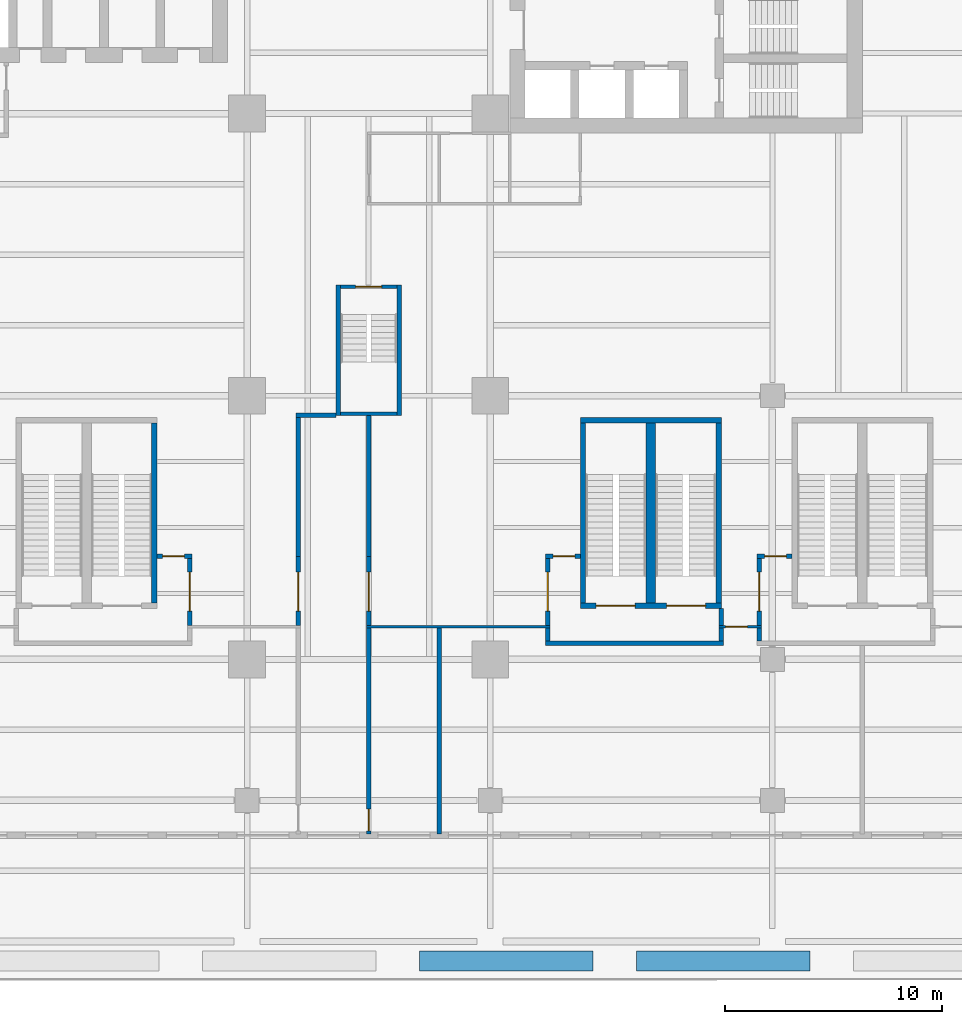
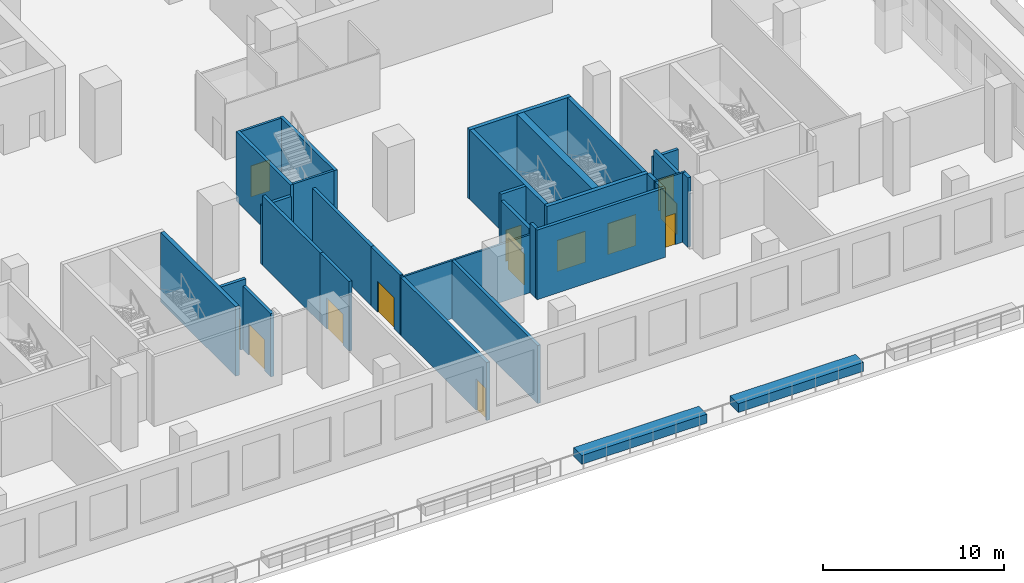
# One storey, part 7 of 18: 32 walls, 13 doors, 13 openings.
"""IFC4 building model written with IfcOpenShell, lengths in metres."""

from ifc_helpers import new_model, si_unit, direction, frame, frame_2d, origin, place, context, subcontext, project, spatial, polyline, rectangle, outline, extrude, source, transform, mapped, material, layer, layer_set, type_object, element, fill, save


model = new_model("IFC4")

# Units and contexts
model_context = context("Model", 3, precision=1e-05, world=origin(), true_north=direction((0.0, 1.0)))
body_context = subcontext(model_context, "Body", "Model", "MODEL_VIEW")
ifc_project = project(units=[si_unit("LENGTHUNIT", "METRE"), si_unit("AREAUNIT", "SQUARE_METRE"), si_unit("VOLUMEUNIT", "CUBIC_METRE"), si_unit("PLANEANGLEUNIT", "RADIAN"), si_unit("MASSUNIT", "GRAM", prefix="KILO")], contexts=[model_context])

# Site, building, storey
site_placement = place(None, origin())
site = spatial("IfcSite", under=ifc_project, at=site_placement, CompositionType="ELEMENT")
building_placement = place(site_placement, origin())
building = spatial("IfcBuilding", under=site, at=building_placement, Name="Trellis Farm Tower", CompositionType="ELEMENT")
storey_placement = place(building_placement, frame((0.0, 0.0, 14.0)))
storey = spatial("IfcBuildingStorey", under=building, at=storey_placement, Name="L02", CompositionType="ELEMENT", Elevation=14.0)

# Walls
ifc_material_1 = material(Name="Plasterboard on steel studs, mineral wool", Category="steel")
ifc_layer_1 = layer(ifc_material_1, 0.125)
ifc_layer_set_1 = layer_set([ifc_layer_1], Name="PARTITION 125 STUD EI 60")
wall_type_1 = type_object("IfcWallType", Name="PARTITION 125 STUD EI 60", PredefinedType="PARTITIONING", material=ifc_layer_set_1)
wall_1_placement = place(storey_placement, frame((8.35009765625, -29.25, 0.0), z_axis=(0.0, 0.0, 1.0), x_axis=(-1.0, 0.0, 0.0)))
element("IfcWall", 1, at=wall_1_placement, inside=storey, type_object=wall_type_1, Name="Partition PW1", PredefinedType="PARTITIONING", context=body_context, shape_type="SweptSolid", body=[
    extrude(rectangle(XDim=8.4501953125, YDim=0.125, at=frame_2d((4.22509765625, 0.0))), origin(), (0.0, 0.0, 1.0), 3.917724609375),
])
ifc_material_2 = material(Name="Sandstone faced masonry planter", Category="masonry")
ifc_layer_2 = layer(ifc_material_2, 0.89990234375)
ifc_layer_set_2 = layer_set([ifc_layer_2], Name="TERRACE PLANTER BED 900")
wall_type_2 = type_object("IfcWallType", Name="TERRACE PLANTER BED 900", PredefinedType="USERDEFINED", material=ifc_layer_set_2)
placement = place(storey_placement, origin())
element("IfcWall", 2, at=placement, inside=storey, type_object=wall_type_2, Name="PLANTER bed", ObjectType="PLANTER", PredefinedType="USERDEFINED", context=body_context, shape_type="SweptSolid", body=[
    extrude(outline(polyline([(2.347412109375, -44.199951171875), (10.347412109375, -44.199951171875), (10.347412109375, -45.10009765625), (2.347412109375, -45.10009765625), (2.347412109375, -44.199951171875)])), origin(), (0.0, 0.0, 1.0), 0.60009765625),
])
element("IfcWall", 3, at=placement, inside=storey, type_object=wall_type_2, Name="PLANTER bed", ObjectType="PLANTER", PredefinedType="USERDEFINED", context=body_context, shape_type="SweptSolid", body=[
    extrude(outline(polyline([(12.347412109375, -44.199951171875), (20.347412109375, -44.199951171875), (20.347412109375, -45.10009765625), (12.347412109375, -45.10009765625), (12.347412109375, -44.199951171875)])), origin(), (0.0, 0.0, 1.0), 0.60009765625),
])
ifc_material_3 = material(Name="Concrete C80/95", Category="concrete")
ifc_layer_3 = layer(ifc_material_3, 0.199951171875)
ifc_layer_set_3 = layer_set([ifc_layer_3], Name="CORE STAIR ENCLOSURE WALL 200 CONCRETE C80/95")
wall_type_3 = type_object("IfcWallType", Name="CORE STAIR ENCLOSURE WALL 200 CONCRETE C80/95", PredefinedType="SHEAR", material=ifc_layer_set_3)
shared_shape_1 = source(origin(), body_context, "Body", "SweptSolid", [
    extrude(rectangle(XDim=6.0, YDim=0.199951171875, at=frame_2d((3.0, 0.0))), origin(), (0.0, 0.0, 1.0), 4.699951171875),
])
for number, where, z_axis, x_axis, name in (
    (4, (1.39990234375, -13.5, 0.0), (0.0, 0.0, 1.0), (0.0, -1.0, 0.0), "Stair enclosure wall"),
    (5, (-1.39990234375, -13.5, 0.0), (0.0, 0.0, 1.0), (0.0, -1.0, 0.0), "Stair enclosure wall"),
):
    element("IfcWall", number, at=place(storey_placement, frame(where, z_axis=z_axis, x_axis=x_axis)), inside=storey, type_object=wall_type_3, Name=name, PredefinedType="SHEAR", context=body_context, shape_type="MappedRepresentation", body=[
        mapped(shared_shape_1, transform((0.0, 0.0, 0.0))),
    ])

# Wall, opening, door
ifc_layer_4 = layer(ifc_material_3, 0.14990234375)
ifc_layer_set_4 = layer_set([ifc_layer_4], Name="CORE STAIR ENCLOSURE WALL 150 CONCRETE C80/95")
wall_type_4 = type_object("IfcWallType", Name="CORE STAIR ENCLOSURE WALL 150 CONCRETE C80/95", PredefinedType="SHEAR", material=ifc_layer_set_4)
shared_shape_2 = source(origin(), body_context, "Body", "SweptSolid", [
    extrude(rectangle(XDim=2.60009765625, YDim=0.14990234375, at=frame_2d((1.300048828125, 0.0))), origin(), (0.0, 0.0, 1.0), 4.699951171875),
])
wall_4_placement = place(storey_placement, frame((1.300048828125, -13.574951171875, 0.0), z_axis=(0.0, 0.0, 1.0), x_axis=(-1.0, 0.0, 0.0)))
wall_4 = element("IfcWall", 6, at=wall_4_placement, inside=storey, type_object=wall_type_4, Name="Stair enclosure wall", PredefinedType="SHEAR", context=body_context, shape_type="MappedRepresentation", body=[
    mapped(shared_shape_2, transform((0.0, 0.0, 0.0))),
])
shared_shape_3 = source(origin(), body_context, "Body", "SweptSolid", [
    extrude(rectangle(XDim=1.199951171875, YDim=2.10009765625, at=frame_2d((0.60009765625, 1.050048828125))), frame((0.0, 0.0849609375, 0.0), z_axis=(0.0, -1.0, 0.0), x_axis=(1.0, 0.0, 0.0)), (0.0, 0.0, 1.0), 0.169921875),
])
opening_1_placement = place(wall_4_placement, frame((0.699951171875, 0.0, 0.0)))
opening_1 = element("IfcOpeningElement", 7, at=opening_1_placement, cuts=wall_4, Name="Opening DC174", PredefinedType="OPENING", context=body_context, shape_type="MappedRepresentation", body=[
    mapped(shared_shape_3, transform((0.0, 0.0, 0.0))),
])
ifc_material_4 = material(Name="Steel", Category="steel")
door_type_1 = type_object("IfcDoorType", Name="CORE FIRE DOOR 1200 X 2100", OperationType="NOTDEFINED", PredefinedType="DOOR", material=ifc_material_4)
shared_shape_4 = source(origin(), body_context, "Body", "SweptSolid", [
    extrude(rectangle(XDim=1.199951171875, YDim=2.10009765625, at=frame_2d((0.60009765625, 1.050048828125))), frame((0.0, 0.02490234375, 0.0), z_axis=(0.0, -1.0, 0.0), x_axis=(1.0, 0.0, 0.0)), (0.0, 0.0, 1.0), 0.050048828125),
])
door_1_placement = place(opening_1_placement, origin())
door_1 = element("IfcDoor", 8, at=door_1_placement, inside=storey, type_object=door_type_1, Name="Core door", OperationType="SINGLE_SWING_RIGHT", OverallHeight=2.10009765625, OverallWidth=1.199951171875, PredefinedType="DOOR", context=body_context, shape_type="MappedRepresentation", body=[
    mapped(shared_shape_4, transform((0.0, 0.0, 0.0))),
])
fill(opening_1, door_1)

# Wall
wall_5_placement = place(storey_placement, frame((1.300048828125, -19.425048828125, 0.0), z_axis=(0.0, 0.0, 1.0), x_axis=(-1.0, 0.0, 0.0)))
element("IfcWall", 9, at=wall_5_placement, inside=storey, type_object=wall_type_4, Name="Stair enclosure wall", PredefinedType="SHEAR", context=body_context, shape_type="MappedRepresentation", body=[
    mapped(shared_shape_2, transform((0.0, 0.0, 0.0))),
])

# Wall, openings, doors
ifc_layer_5 = layer(ifc_material_3, 0.25)
ifc_layer_set_5 = layer_set([ifc_layer_5], Name="CORE STAIR ENCLOSURE WALL 250 CONCRETE C80/95")
wall_type_5 = type_object("IfcWallType", Name="CORE STAIR ENCLOSURE WALL 250 CONCRETE C80/95", PredefinedType="SHEAR", material=ifc_layer_set_5)
shared_shape_5 = source(origin(), body_context, "Body", "SweptSolid", [
    extrude(rectangle(XDim=6.5, YDim=0.25, at=frame_2d((3.25, 0.0))), origin(), (0.0, 0.0, 1.0), 4.699951171875),
])
wall_6_placement = place(storey_placement, frame((9.75, -28.27490234375, 0.0), z_axis=(0.0, 0.0, 1.0), x_axis=(1.0, 0.0, 0.0)))
wall_6 = element("IfcWall", 10, at=wall_6_placement, inside=storey, type_object=wall_type_5, Name="Podium stair enclosure wall", PredefinedType="SHEAR", context=body_context, shape_type="MappedRepresentation", body=[
    mapped(shared_shape_5, transform((0.0, 0.0, 0.0))),
])
shared_shape_6 = source(origin(), body_context, "Body", "SweptSolid", [
    extrude(rectangle(XDim=1.800048828125, YDim=2.10009765625, at=frame_2d((0.89990234375, 1.050048828125))), frame((0.0, 0.135009765625, 0.0), z_axis=(0.0, -1.0, 0.0), x_axis=(1.0, 0.0, 0.0)), (0.0, 0.0, 1.0), 0.27001953125),
])
opening_2_placement = place(wall_6_placement, frame((0.72509765625, 0.0, 0.0)))
opening_2 = element("IfcOpeningElement", 11, at=opening_2_placement, cuts=wall_6, Name="Opening DP13", PredefinedType="OPENING", context=body_context, shape_type="MappedRepresentation", body=[
    mapped(shared_shape_6, transform((0.0, 0.0, 0.0))),
])
opening_3_placement = place(wall_6_placement, frame((3.97509765625, 0.0, 0.0)))
opening_3 = element("IfcOpeningElement", 12, at=opening_3_placement, cuts=wall_6, Name="Opening DP14", PredefinedType="OPENING", context=body_context, shape_type="MappedRepresentation", body=[
    mapped(shared_shape_6, transform((0.0, 0.0, 0.0))),
])
door_type_2 = type_object("IfcDoorType", Name="CORE FIRE DOOR DOUBLE 1800 X 2100", OperationType="DOUBLE_DOOR_SINGLE_SWING", PredefinedType="DOOR", material=ifc_material_4)
shared_shape_7 = source(origin(), body_context, "Body", "SweptSolid", [
    extrude(rectangle(XDim=1.800048828125, YDim=2.10009765625, at=frame_2d((0.89990234375, 1.050048828125))), frame((0.0, 0.02490234375, 0.0), z_axis=(0.0, -1.0, 0.0), x_axis=(1.0, 0.0, 0.0)), (0.0, 0.0, 1.0), 0.050048828125),
])
door_2_placement = place(opening_2_placement, origin())
door_2 = element("IfcDoor", 13, at=door_2_placement, inside=storey, type_object=door_type_2, Name="Podium stair door", OperationType="DOUBLE_DOOR_SINGLE_SWING", OverallHeight=2.10009765625, OverallWidth=1.800048828125, PredefinedType="DOOR", context=body_context, shape_type="MappedRepresentation", body=[
    mapped(shared_shape_7, transform((0.0, 0.0, 0.0))),
])
fill(opening_2, door_2)
door_3_placement = place(opening_3_placement, origin())
door_3 = element("IfcDoor", 14, at=door_3_placement, inside=storey, type_object=door_type_2, Name="Podium stair door", OperationType="DOUBLE_DOOR_SINGLE_SWING", OverallHeight=2.10009765625, OverallWidth=1.800048828125, PredefinedType="DOOR", context=body_context, shape_type="MappedRepresentation", body=[
    mapped(shared_shape_7, transform((0.0, 0.0, 0.0))),
])
fill(opening_3, door_3)

# Walls
wall_7_placement = place(storey_placement, frame((9.75, -19.72509765625, 0.0), z_axis=(0.0, 0.0, 1.0), x_axis=(1.0, 0.0, 0.0)))
element("IfcWall", 15, at=wall_7_placement, inside=storey, type_object=wall_type_5, Name="Podium stair enclosure wall", PredefinedType="SHEAR", context=body_context, shape_type="MappedRepresentation", body=[
    mapped(shared_shape_5, transform((0.0, 0.0, 0.0))),
])
shared_shape_8 = source(origin(), body_context, "Body", "SweptSolid", [
    extrude(rectangle(XDim=8.2998046875, YDim=0.25, at=frame_2d((4.14990234375, 0.0))), origin(), (0.0, 0.0, 1.0), 4.699951171875),
])
for number, where, z_axis, x_axis, name in (
    (16, (-9.875, -28.14990234375, 0.0), (0.0, 0.0, 1.0), (0.0, 1.0, 0.0), "Podium stair enclosure wall"),
    (17, (9.875, -28.14990234375, 0.0), (0.0, 0.0, 1.0), (0.0, 1.0, 0.0), "Podium stair enclosure wall"),
    (18, (16.125, -28.14990234375, 0.0), (0.0, 0.0, 1.0), (0.0, 1.0, 0.0), "Podium stair enclosure wall"),
):
    element("IfcWall", number, at=place(storey_placement, frame(where, z_axis=z_axis, x_axis=x_axis)), inside=storey, type_object=wall_type_5, Name=name, PredefinedType="SHEAR", context=body_context, shape_type="MappedRepresentation", body=[
        mapped(shared_shape_8, transform((0.0, 0.0, 0.0))),
    ])
ifc_layer_6 = layer(ifc_material_3, 0.43994140625)
ifc_layer_set_6 = layer_set([ifc_layer_6], Name="CORE STAIR ENCLOSURE WALL 440 CONCRETE C80/95")
wall_type_6 = type_object("IfcWallType", Name="CORE STAIR ENCLOSURE WALL 440 CONCRETE C80/95", PredefinedType="SHEAR", material=ifc_layer_set_6)
shared_shape_9 = source(origin(), body_context, "Body", "SweptSolid", [
    extrude(rectangle(XDim=8.2998046875, YDim=0.43994140625, at=frame_2d((4.14990234375, 0.0))), origin(), (0.0, 0.0, 1.0), 4.699951171875),
])
wall_8_placement = place(storey_placement, frame((13.0, -28.14990234375, 0.0), z_axis=(0.0, 0.0, 1.0), x_axis=(0.0, 1.0, 0.0)))
element("IfcWall", 19, at=wall_8_placement, inside=storey, type_object=wall_type_6, Name="Podium stair enclosure wall", PredefinedType="SHEAR", context=body_context, shape_type="MappedRepresentation", body=[
    mapped(shared_shape_9, transform((0.0, 0.0, 0.0))),
])
ifc_material_5 = material(Name="Lightweight blockwork, plastered", Category="masonry")
ifc_layer_7 = layer(ifc_material_5, 0.199951171875)
ifc_layer_set_7 = layer_set([ifc_layer_7], Name="BLOCK WALL 200 EI 120")
wall_type_7 = type_object("IfcWallType", Name="BLOCK WALL 200 EI 120", PredefinedType="PARTITIONING", material=ifc_layer_set_7)
shared_shape_10 = source(origin(), body_context, "Body", "SweptSolid", [
    extrude(rectangle(XDim=0.78759765625, YDim=0.199951171875, at=frame_2d((0.393798828125, 0.0))), origin(), (0.0, 0.0, 1.0), 4.699951171875),
])
wall_9_placement = place(storey_placement, frame((16.25, -29.1875, 0.0), z_axis=(0.0, 0.0, 1.0), x_axis=(0.0, 1.0, 0.0)))
element("IfcWall", 20, at=wall_9_placement, inside=storey, type_object=wall_type_7, Name="Partition PW3", PredefinedType="PARTITIONING", context=body_context, shape_type="MappedRepresentation", body=[
    mapped(shared_shape_10, transform((0.0, 0.0, 0.0))),
])
shared_shape_11 = source(origin(), body_context, "Body", "SweptSolid", [
    extrude(rectangle(XDim=0.58740234375, YDim=0.199951171875, at=frame_2d((0.293701171875, 0.0))), origin(), (0.0, 0.0, 1.0), 4.699951171875),
])
for number, where, z_axis, x_axis, name in (
    (21, (8.25, -29.3125, 0.0), (0.0, 0.0, 1.0), (0.0, -1.0, 0.0), "Partition PW3"),
    (22, (16.25, -29.89990234375, 0.0), (0.0, 0.0, 1.0), (0.0, 1.0, 0.0), "Partition PW3"),
    (23, (18.0, -29.89990234375, 0.0), (0.0, 0.0, 1.0), (0.0, 1.0, 0.0), "Partition PW3"),
):
    element("IfcWall", number, at=place(storey_placement, frame(where, z_axis=z_axis, x_axis=x_axis)), inside=storey, type_object=wall_type_7, Name=name, PredefinedType="PARTITIONING", context=body_context, shape_type="MappedRepresentation", body=[
        mapped(shared_shape_11, transform((0.0, 0.0, 0.0))),
    ])

# Wall, opening, door
shared_shape_12 = source(origin(), body_context, "Body", "SweptSolid", [
    extrude(rectangle(XDim=3.08740234375, YDim=0.199951171875, at=frame_2d((1.543701171875, 0.0))), origin(), (0.0, 0.0, 1.0), 4.273681640625),
])
wall_10_placement = place(storey_placement, frame((-8.25, -26.10009765625, 0.0), z_axis=(0.0, 0.0, 1.0), x_axis=(0.0, -1.0, 0.0)))
wall_10 = element("IfcWall", 24, at=wall_10_placement, inside=storey, type_object=wall_type_7, Name="Partition PW3", PredefinedType="PARTITIONING", context=body_context, shape_type="MappedRepresentation", body=[
    mapped(shared_shape_12, transform((0.0, 0.0, 0.0))),
])
shared_shape_13 = source(origin(), body_context, "Body", "SweptSolid", [
    extrude(rectangle(XDim=1.800048828125, YDim=2.10009765625, at=frame_2d((0.89990234375, 1.050048828125))), frame((0.0, 0.110107421875, 0.0), z_axis=(0.0, -1.0, 0.0), x_axis=(1.0, 0.0, 0.0)), (0.0, 0.0, 1.0), 0.22021484375),
])
opening_4_placement = place(wall_10_placement, frame((0.625, 0.0, 0.0)))
opening_4 = element("IfcOpeningElement", 25, at=opening_4_placement, cuts=wall_10, Name="Opening D402", PredefinedType="OPENING", context=body_context, shape_type="MappedRepresentation", body=[
    mapped(shared_shape_13, transform((0.0, 0.0, 0.0))),
])
ifc_material_6 = material(Name="Fire-rated timber door leaf in a hollow metal frame", Category="wood")
door_type_3 = type_object("IfcDoorType", Name="DOOR PAIR 1800x2100 FD60", OperationType="NOTDEFINED", PredefinedType="DOOR", material=ifc_material_6)
door_4_placement = place(opening_4_placement, origin())
door_4 = element("IfcDoor", 26, at=door_4_placement, inside=storey, type_object=door_type_3, Name="Door D402", OperationType="DOUBLE_DOOR_SINGLE_SWING", OverallHeight=2.10009765625, OverallWidth=1.800048828125, PredefinedType="DOOR", context=body_context, shape_type="MappedRepresentation", body=[
    mapped(shared_shape_7, transform((0.0, 0.0, 0.0))),
])
fill(opening_4, door_4)

wall_11_placement = place(storey_placement, frame((8.25, -29.1875, 0.0), z_axis=(0.0, 0.0, 1.0), x_axis=(0.0, 1.0, 0.0)))
wall_11 = element("IfcWall", 27, at=wall_11_placement, inside=storey, type_object=wall_type_7, Name="Partition PW3", PredefinedType="PARTITIONING", context=body_context, shape_type="MappedRepresentation", body=[
    mapped(shared_shape_12, transform((0.0, 0.0, 0.0))),
])
opening_5_placement = place(wall_11_placement, frame((0.66259765625, 0.0, 0.0)))
opening_5 = element("IfcOpeningElement", 28, at=opening_5_placement, cuts=wall_11, Name="Opening D405", PredefinedType="OPENING", context=body_context, shape_type="MappedRepresentation", body=[
    mapped(shared_shape_13, transform((0.0, 0.0, 0.0))),
])
door_5_placement = place(opening_5_placement, origin())
door_5 = element("IfcDoor", 29, at=door_5_placement, inside=storey, type_object=door_type_3, Name="Door D405", OperationType="DOUBLE_DOOR_SINGLE_SWING", OverallHeight=2.10009765625, OverallWidth=1.800048828125, PredefinedType="DOOR", context=body_context, shape_type="MappedRepresentation", body=[
    mapped(shared_shape_7, transform((0.0, 0.0, 0.0))),
])
fill(opening_5, door_5)

wall_12_placement = place(storey_placement, frame((18.0, -29.1875, 0.0), z_axis=(0.0, 0.0, 1.0), x_axis=(0.0, 1.0, 0.0)))
wall_12 = element("IfcWall", 30, at=wall_12_placement, inside=storey, type_object=wall_type_7, Name="Partition PW3", PredefinedType="PARTITIONING", context=body_context, shape_type="MappedRepresentation", body=[
    mapped(shared_shape_12, transform((0.0, 0.0, 0.0))),
])
opening_6_placement = place(wall_12_placement, frame((0.66259765625, 0.0, 0.0)))
opening_6 = element("IfcOpeningElement", 31, at=opening_6_placement, cuts=wall_12, Name="Opening D406", PredefinedType="OPENING", context=body_context, shape_type="MappedRepresentation", body=[
    mapped(shared_shape_13, transform((0.0, 0.0, 0.0))),
])
door_6_placement = place(opening_6_placement, origin())
door_6 = element("IfcDoor", 32, at=door_6_placement, inside=storey, type_object=door_type_3, Name="Door D406", OperationType="DOUBLE_DOOR_SINGLE_SWING", OverallHeight=2.10009765625, OverallWidth=1.800048828125, PredefinedType="DOOR", context=body_context, shape_type="MappedRepresentation", body=[
    mapped(shared_shape_7, transform((0.0, 0.0, 0.0))),
])
fill(opening_6, door_6)

# Wall
shared_shape_14 = source(origin(), body_context, "Body", "SweptSolid", [
    extrude(rectangle(XDim=6.39990234375, YDim=0.199951171875, at=frame_2d((3.199951171875, 0.0))), origin(), (0.0, 0.0, 1.0), 4.699951171875),
])
wall_13_placement = place(storey_placement, frame((-3.25, -19.60009765625, 0.0), z_axis=(0.0, 0.0, 1.0), x_axis=(0.0, -1.0, 0.0)))
element("IfcWall", 33, at=wall_13_placement, inside=storey, type_object=wall_type_7, Name="Partition PW3", PredefinedType="PARTITIONING", context=body_context, shape_type="MappedRepresentation", body=[
    mapped(shared_shape_14, transform((0.0, 0.0, 0.0))),
])

# Wall, opening, door
shared_shape_15 = source(origin(), body_context, "Body", "SweptSolid", [
    extrude(rectangle(XDim=9.487548828125, YDim=0.199951171875, at=frame_2d((4.74365234375, 0.0))), origin(), (0.0, 0.0, 1.0), 3.917724609375),
])
wall_14_placement = place(storey_placement, frame((0.0, -29.3125, 0.0), z_axis=(0.0, 0.0, 1.0), x_axis=(0.0, -1.0, 0.0)))
wall_14 = element("IfcWall", 34, at=wall_14_placement, inside=storey, type_object=wall_type_7, Name="Partition PW3", PredefinedType="PARTITIONING", context=body_context, shape_type="MappedRepresentation", body=[
    mapped(shared_shape_15, transform((0.0, 0.0, 0.0))),
])
shared_shape_16 = source(origin(), body_context, "Body", "SweptSolid", [
    extrude(rectangle(XDim=1.0, YDim=2.10009765625, at=frame_2d((0.5, 1.050048828125))), frame((0.0, 0.110107421875, 0.0), z_axis=(0.0, -1.0, 0.0), x_axis=(1.0, 0.0, 0.0)), (0.0, 0.0, 1.0), 0.22021484375),
])
opening_7_placement = place(wall_14_placement, frame((8.33740234375, 0.0, 0.0)))
opening_7 = element("IfcOpeningElement", 35, at=opening_7_placement, cuts=wall_14, Name="Opening D301", PredefinedType="OPENING", context=body_context, shape_type="MappedRepresentation", body=[
    mapped(shared_shape_16, transform((0.0, 0.0, 0.0))),
])
door_type_4 = type_object("IfcDoorType", Name="DOOR 1000x2100 FD60", OperationType="NOTDEFINED", PredefinedType="DOOR", material=ifc_material_6)
shared_shape_17 = source(origin(), body_context, "Body", "SweptSolid", [
    extrude(rectangle(XDim=1.0, YDim=2.10009765625, at=frame_2d((0.5, 1.050048828125))), frame((0.0, 0.02490234375, 0.0), z_axis=(0.0, -1.0, 0.0), x_axis=(1.0, 0.0, 0.0)), (0.0, 0.0, 1.0), 0.050048828125),
])
door_7_placement = place(opening_7_placement, origin())
door_7 = element("IfcDoor", 36, at=door_7_placement, inside=storey, type_object=door_type_4, Name="Door D301", OperationType="SINGLE_SWING_RIGHT", OverallHeight=2.10009765625, OverallWidth=1.0, PredefinedType="DOOR", context=body_context, shape_type="MappedRepresentation", body=[
    mapped(shared_shape_17, transform((0.0, 0.0, 0.0))),
])
fill(opening_7, door_7)

# Walls
wall_15_placement = place(storey_placement, frame((3.25, -38.800048828125, 0.0), z_axis=(0.0, 0.0, 1.0), x_axis=(0.0, 1.0, 0.0)))
element("IfcWall", 37, at=wall_15_placement, inside=storey, type_object=wall_type_7, Name="Partition PW3", PredefinedType="PARTITIONING", context=body_context, shape_type="MappedRepresentation", body=[
    mapped(shared_shape_15, transform((0.0, 0.0, 0.0))),
])
shared_shape_18 = source(origin(), body_context, "Body", "SweptSolid", [
    extrude(rectangle(XDim=6.5, YDim=0.199951171875, at=frame_2d((3.25, 0.0))), origin(), (0.0, 0.0, 1.0), 3.996337890625),
])
wall_16_placement = place(storey_placement, frame((0.0, -19.5, 0.0), z_axis=(0.0, 0.0, 1.0), x_axis=(0.0, -1.0, 0.0)))
element("IfcWall", 38, at=wall_16_placement, inside=storey, type_object=wall_type_7, Name="Partition PW3", PredefinedType="PARTITIONING", context=body_context, shape_type="MappedRepresentation", body=[
    mapped(shared_shape_18, transform((0.0, 0.0, 0.0))),
])
shared_shape_19 = source(origin(), body_context, "Body", "SweptSolid", [
    extrude(rectangle(XDim=8.2001953125, YDim=0.199951171875, at=frame_2d((4.10009765625, 0.0))), origin(), (0.0, 0.0, 1.0), 4.699951171875),
])
wall_17_placement = place(storey_placement, frame((16.35009765625, -30.0, 0.0), z_axis=(0.0, 0.0, 1.0), x_axis=(-1.0, 0.0, 0.0)))
element("IfcWall", 39, at=wall_17_placement, inside=storey, type_object=wall_type_7, Name="Partition PW3", PredefinedType="PARTITIONING", context=body_context, shape_type="MappedRepresentation", body=[
    mapped(shared_shape_19, transform((0.0, 0.0, 0.0))),
])

# Wall, opening, door
shared_shape_20 = source(origin(), body_context, "Body", "SweptSolid", [
    extrude(rectangle(XDim=1.9501953125, YDim=0.125, at=frame_2d((0.97509765625, 0.0))), origin(), (0.0, 0.0, 1.0), 4.699951171875),
])
wall_18_placement = place(storey_placement, frame((18.10009765625, -29.25, 0.0), z_axis=(0.0, 0.0, 1.0), x_axis=(-1.0, 0.0, 0.0)))
wall_18 = element("IfcWall", 40, at=wall_18_placement, inside=storey, type_object=wall_type_1, Name="Partition PW1", PredefinedType="PARTITIONING", context=body_context, shape_type="MappedRepresentation", body=[
    mapped(shared_shape_20, transform((0.0, 0.0, 0.0))),
])
shared_shape_21 = source(origin(), body_context, "Body", "SweptSolid", [
    extrude(rectangle(XDim=1.0, YDim=2.10009765625, at=frame_2d((0.5, 1.050048828125))), frame((0.0, 0.072509765625, 0.0), z_axis=(0.0, -1.0, 0.0), x_axis=(1.0, 0.0, 0.0)), (0.0, 0.0, 1.0), 0.14501953125),
])
opening_8_placement = place(wall_18_placement, frame((0.64990234375, 0.0, 0.0)))
opening_8 = element("IfcOpeningElement", 41, at=opening_8_placement, cuts=wall_18, Name="Opening D101", PredefinedType="OPENING", context=body_context, shape_type="MappedRepresentation", body=[
    mapped(shared_shape_21, transform((0.0, 0.0, 0.0))),
])
door_type_5 = type_object("IfcDoorType", Name="DOOR 1000x2100 FD30S", OperationType="NOTDEFINED", PredefinedType="DOOR", material=ifc_material_6)
door_8_placement = place(opening_8_placement, origin())
door_8 = element("IfcDoor", 42, at=door_8_placement, inside=storey, type_object=door_type_5, Name="Door D101", OperationType="SINGLE_SWING_RIGHT", OverallHeight=2.10009765625, OverallWidth=1.0, PredefinedType="DOOR", context=body_context, shape_type="MappedRepresentation", body=[
    mapped(shared_shape_17, transform((0.0, 0.0, 0.0))),
])
fill(opening_8, door_8)

shared_shape_22 = source(origin(), body_context, "Body", "SweptSolid", [
    extrude(rectangle(XDim=1.60009765625, YDim=0.199951171875, at=frame_2d((0.800048828125, 0.0))), origin(), (0.0, 0.0, 1.0), 4.699951171875),
])
wall_19_placement = place(storey_placement, frame((-9.75, -26.0, 0.0), z_axis=(0.0, 0.0, 1.0), x_axis=(1.0, 0.0, 0.0)))
wall_19 = element("IfcWall", 43, at=wall_19_placement, inside=storey, type_object=wall_type_7, Name="Partition PW3", PredefinedType="PARTITIONING", context=body_context, shape_type="MappedRepresentation", body=[
    mapped(shared_shape_22, transform((0.0, 0.0, 0.0))),
])
opening_9_placement = place(wall_19_placement, frame((0.25, 0.0, 0.0)))
opening_9 = element("IfcOpeningElement", 44, at=opening_9_placement, cuts=wall_19, Name="Opening D303", PredefinedType="OPENING", context=body_context, shape_type="MappedRepresentation", body=[
    mapped(shared_shape_16, transform((0.0, 0.0, 0.0))),
])
door_9_placement = place(opening_9_placement, origin())
door_9 = element("IfcDoor", 45, at=door_9_placement, inside=storey, type_object=door_type_4, Name="Door D303", OperationType="SINGLE_SWING_LEFT", OverallHeight=2.10009765625, OverallWidth=1.0, PredefinedType="DOOR", context=body_context, shape_type="MappedRepresentation", body=[
    mapped(shared_shape_17, transform((0.0, 0.0, 0.0))),
])
fill(opening_9, door_9)

wall_20_placement = place(storey_placement, frame((8.14990234375, -26.0, 0.0), z_axis=(0.0, 0.0, 1.0), x_axis=(1.0, 0.0, 0.0)))
wall_20 = element("IfcWall", 46, at=wall_20_placement, inside=storey, type_object=wall_type_7, Name="Partition PW3", PredefinedType="PARTITIONING", context=body_context, shape_type="MappedRepresentation", body=[
    mapped(shared_shape_22, transform((0.0, 0.0, 0.0))),
])
opening_10_placement = place(wall_20_placement, frame((0.35009765625, 0.0, 0.0)))
opening_10 = element("IfcOpeningElement", 47, at=opening_10_placement, cuts=wall_20, Name="Opening D304", PredefinedType="OPENING", context=body_context, shape_type="MappedRepresentation", body=[
    mapped(shared_shape_16, transform((0.0, 0.0, 0.0))),
])
door_10_placement = place(opening_10_placement, origin())
door_10 = element("IfcDoor", 48, at=door_10_placement, inside=storey, type_object=door_type_4, Name="Door D304", OperationType="SINGLE_SWING_LEFT", OverallHeight=2.10009765625, OverallWidth=1.0, PredefinedType="DOOR", context=body_context, shape_type="MappedRepresentation", body=[
    mapped(shared_shape_17, transform((0.0, 0.0, 0.0))),
])
fill(opening_10, door_10)

shared_shape_23 = source(origin(), body_context, "Body", "SweptSolid", [
    extrude(rectangle(XDim=1.60009765625, YDim=0.199951171875, at=frame_2d((0.800048828125, 0.0))), origin(), (0.0, 0.0, 1.0), 3.76171875),
])
wall_21_placement = place(storey_placement, frame((17.89990234375, -26.0, 0.0), z_axis=(0.0, 0.0, 1.0), x_axis=(1.0, 0.0, 0.0)))
wall_21 = element("IfcWall", 49, at=wall_21_placement, inside=storey, type_object=wall_type_7, Name="Partition PW3", PredefinedType="PARTITIONING", context=body_context, shape_type="MappedRepresentation", body=[
    mapped(shared_shape_23, transform((0.0, 0.0, 0.0))),
])
opening_11_placement = place(wall_21_placement, frame((0.35009765625, 0.0, 0.0)))
opening_11 = element("IfcOpeningElement", 50, at=opening_11_placement, cuts=wall_21, Name="Opening D305", PredefinedType="OPENING", context=body_context, shape_type="MappedRepresentation", body=[
    mapped(shared_shape_16, transform((0.0, 0.0, 0.0))),
])
door_11_placement = place(opening_11_placement, origin())
door_11 = element("IfcDoor", 51, at=door_11_placement, inside=storey, type_object=door_type_4, Name="Door D305", OperationType="SINGLE_SWING_LEFT", OverallHeight=2.10009765625, OverallWidth=1.0, PredefinedType="DOOR", context=body_context, shape_type="MappedRepresentation", body=[
    mapped(shared_shape_17, transform((0.0, 0.0, 0.0))),
])
fill(opening_11, door_11)

# Wall
shared_shape_24 = source(origin(), body_context, "Body", "SweptSolid", [
    extrude(rectangle(XDim=1.85009765625, YDim=0.199951171875, at=frame_2d((0.925048828125, 0.0))), origin(), (0.0, 0.0, 1.0), 3.996337890625),
])
wall_22_placement = place(storey_placement, frame((-3.35009765625, -19.5, 0.0), z_axis=(0.0, 0.0, 1.0), x_axis=(1.0, 0.0, 0.0)))
element("IfcWall", 52, at=wall_22_placement, inside=storey, type_object=wall_type_7, Name="Partition PW3", PredefinedType="PARTITIONING", context=body_context, shape_type="MappedRepresentation", body=[
    mapped(shared_shape_24, transform((0.0, 0.0, 0.0))),
])

# Wall, opening, door
shared_shape_25 = source(origin(), body_context, "Body", "SweptSolid", [
    extrude(rectangle(XDim=3.1875, YDim=0.199951171875, at=frame_2d((1.59375, 0.0))), origin(), (0.0, 0.0, 1.0), 4.699951171875),
])
wall_23_placement = place(storey_placement, frame((-3.25, -29.1875, 0.0), z_axis=(0.0, 0.0, 1.0), x_axis=(0.0, 1.0, 0.0)))
wall_23 = element("IfcWall", 53, at=wall_23_placement, inside=storey, type_object=wall_type_7, Name="Partition PW3", PredefinedType="PARTITIONING", context=body_context, shape_type="MappedRepresentation", body=[
    mapped(shared_shape_25, transform((0.0, 0.0, 0.0))),
])
opening_12_placement = place(wall_23_placement, frame((0.66259765625, 0.0, 0.0)))
opening_12 = element("IfcOpeningElement", 54, at=opening_12_placement, cuts=wall_23, Name="Opening D403", PredefinedType="OPENING", context=body_context, shape_type="MappedRepresentation", body=[
    mapped(shared_shape_13, transform((0.0, 0.0, 0.0))),
])
door_12_placement = place(opening_12_placement, origin())
door_12 = element("IfcDoor", 55, at=door_12_placement, inside=storey, type_object=door_type_3, Name="Door D403", OperationType="DOUBLE_DOOR_SINGLE_SWING", OverallHeight=2.10009765625, OverallWidth=1.800048828125, PredefinedType="DOOR", context=body_context, shape_type="MappedRepresentation", body=[
    mapped(shared_shape_7, transform((0.0, 0.0, 0.0))),
])
fill(opening_12, door_12)

shared_shape_26 = source(origin(), body_context, "Body", "SweptSolid", [
    extrude(rectangle(XDim=3.1875, YDim=0.199951171875, at=frame_2d((1.59375, 0.0))), origin(), (0.0, 0.0, 1.0), 3.996337890625),
])
wall_24_placement = place(storey_placement, frame((0.0, -26.0, 0.0), z_axis=(0.0, 0.0, 1.0), x_axis=(0.0, -1.0, 0.0)))
wall_24 = element("IfcWall", 56, at=wall_24_placement, inside=storey, type_object=wall_type_7, Name="Partition PW3", PredefinedType="PARTITIONING", context=body_context, shape_type="MappedRepresentation", body=[
    mapped(shared_shape_26, transform((0.0, 0.0, 0.0))),
])
opening_13_placement = place(wall_24_placement, frame((0.72509765625, 0.0, 0.0)))
opening_13 = element("IfcOpeningElement", 57, at=opening_13_placement, cuts=wall_24, Name="Opening D404", PredefinedType="OPENING", context=body_context, shape_type="MappedRepresentation", body=[
    mapped(shared_shape_13, transform((0.0, 0.0, 0.0))),
])
door_13_placement = place(opening_13_placement, origin())
door_13 = element("IfcDoor", 58, at=door_13_placement, inside=storey, type_object=door_type_3, Name="Door D404", OperationType="DOUBLE_DOOR_SINGLE_SWING", OverallHeight=2.10009765625, OverallWidth=1.800048828125, PredefinedType="DOOR", context=body_context, shape_type="MappedRepresentation", body=[
    mapped(shared_shape_7, transform((0.0, 0.0, 0.0))),
])
fill(opening_13, door_13)

save(model, "model.ifc")
